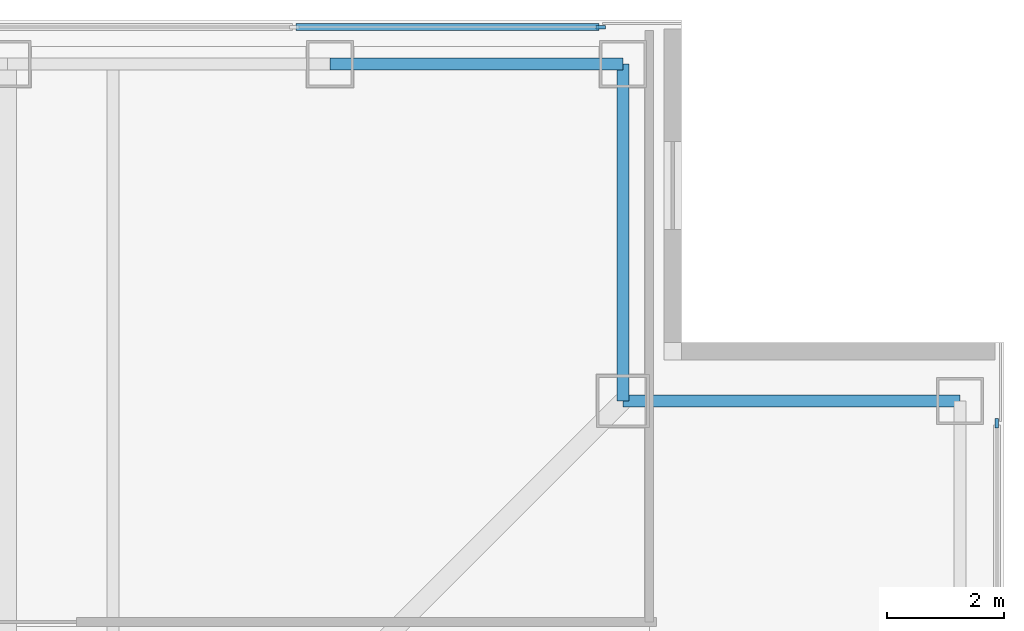
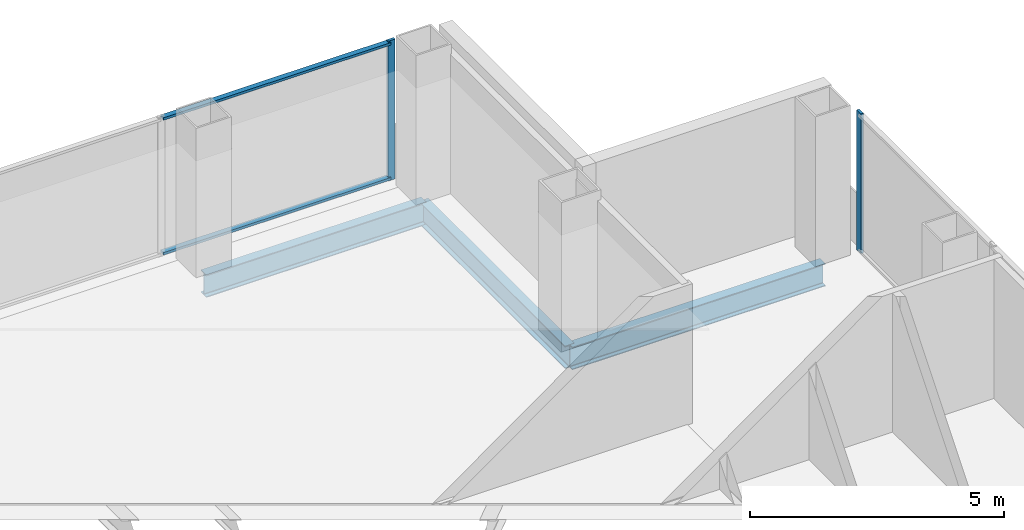
# One storey, part 8 of 17: 4 members, 3 beams, 2 elements without a shape of their own.
"""IFC4 building model written with IfcOpenShell, lengths in metres."""

import ifcopenshell
import ifcopenshell.guid

model = None  # the IFC model being written
_history = None  # IfcOwnerHistory: only IFC2X3 demands one
_inside = {}  # id of a spatial element -> (the spatial element, [elements in it])
_under = {}  # id of a project, library or spatial element -> (it, [spatial elements below it])
_declared = {}  # id of a project -> (the project, [libraries it declares])
_typed = {}  # id of a type object -> (the type object, [elements of that type])
_made_of = {}  # id of a material, layer set ... -> (it, [elements and type objects made of it])


def new_model(schema):
    """Start an empty IFC model of exactly this schema.

    Asked for "IFC4X3", IfcOpenShell would pick the latest addendum, in which some entities
    have other attributes; the version numbers below select the first issue.
    IFC2X3 requires an IfcOwnerHistory on every rooted entity: one is made here for all.
    """
    global model, _history
    if schema == "IFC4X3":
        model = ifcopenshell.file(schema_version=(4, 3, 0, 0))
    else:
        model = ifcopenshell.file(schema=schema)
    _inside.clear()
    _under.clear()
    _declared.clear()
    _typed.clear()
    _made_of.clear()
    _history = None
    if model.schema == "IFC2X3":
        org = make("IfcOrganization", Name="unknown")
        user = make(
            "IfcPersonAndOrganization",
            ThePerson=make("IfcPerson", FamilyName="unknown"),
            TheOrganization=org,
        )
        app = make(
            "IfcApplication",
            ApplicationDeveloper=org,
            Version="unknown",
            ApplicationFullName="unknown",
            ApplicationIdentifier="unknown",
        )
        _history = make(
            "IfcOwnerHistory",
            OwningUser=user,
            OwningApplication=app,
            ChangeAction="ADDED",
            CreationDate=0,
        )
    return model


def make(cls, **values):
    """One entity of the class cls with the attributes given. An attribute that is None is left unset."""
    return model.create_entity(
        cls, **{name: value for name, value in values.items() if value is not None}
    )


def rooted(cls, **values):
    """An entity with a GlobalId (a new one), such as an element, a storey or a relation."""
    return make(cls, GlobalId=ifcopenshell.guid.new(), OwnerHistory=_history, **values)


def si_unit(unit_type, name, prefix=None):
    """IfcSIUnit, for example si_unit("LENGTHUNIT", "METRE", prefix="MILLI")."""
    return make("IfcSIUnit", UnitType=unit_type, Prefix=prefix, Name=name)


def assignment(units):
    """IfcUnitAssignment: the units of a project."""
    return None if units is None else make("IfcUnitAssignment", Units=units)


def point(xyz):
    """IfcCartesianPoint."""
    return None if xyz is None else make("IfcCartesianPoint", Coordinates=xyz)


def direction(xyz):
    """IfcDirection."""
    return None if xyz is None else make("IfcDirection", DirectionRatios=xyz)


def frame(location, z_axis=None, x_axis=None):
    """IfcAxis2Placement3D, a coordinate frame: its origin and axes. An axis left out is left unset."""
    return make(
        "IfcAxis2Placement3D",
        Location=point(location),
        Axis=direction(z_axis),
        RefDirection=direction(x_axis),
    )


def frame_2d(location, x_axis=None):
    """IfcAxis2Placement2D, a coordinate frame in the plane: its origin and x axis."""
    return make(
        "IfcAxis2Placement2D", Location=point(location), RefDirection=direction(x_axis)
    )


def origin():
    """The frame at (0, 0, 0) with its axes left unset."""
    return frame((0.0, 0.0, 0.0))


def origin_2d():
    """The frame at (0, 0) in the plane with its x axis left unset."""
    return frame_2d((0.0, 0.0))


def place(relative_to, where):
    """IfcLocalPlacement: puts the frame where relative to a parent placement (None: the world)."""
    return make(
        "IfcLocalPlacement", PlacementRelTo=relative_to, RelativePlacement=where
    )


def context(
    kind, dimensions, precision=None, world=None, true_north=None, identifier=None
):
    """IfcGeometricRepresentationContext, for example the 3D "Model" context."""
    return make(
        "IfcGeometricRepresentationContext",
        ContextIdentifier=identifier,
        ContextType=kind,
        CoordinateSpaceDimension=dimensions,
        Precision=precision,
        WorldCoordinateSystem=world,
        TrueNorth=true_north,
    )


def subcontext(parent, identifier, kind, view, scale=None):
    """IfcGeometricRepresentationSubContext, for example "Body" below "Model"."""
    return make(
        "IfcGeometricRepresentationSubContext",
        ContextIdentifier=identifier,
        ContextType=kind,
        ParentContext=parent,
        TargetScale=scale,
        TargetView=view,
    )


def project(units=None, contexts=None):
    """IfcProject with its units and contexts."""
    return rooted(
        "IfcProject",
        Name="project",
        RepresentationContexts=contexts,
        UnitsInContext=assignment(units),
    )


def spatial(cls, under=None, at=None, **own):
    """A site, building, storey or space (cls), placed at a placement, below another one or the project."""
    s = rooted(cls, ObjectPlacement=at, **own)
    if under is not None:
        _under.setdefault(under.id(), (under, []))[1].append(s)
    return s


def profile(cls, at=None, kind="AREA", **sizes):
    """A parametric profile (cls). Its sizes go by their IFC names, for example OverallWidth=200.0."""
    return make(cls, ProfileType=kind, Position=at, **sizes)


def rectangle(**sizes):
    """IfcRectangleProfileDef."""
    return profile("IfcRectangleProfileDef", **sizes)


def i_section(**sizes):
    """IfcIShapeProfileDef."""
    return profile("IfcIShapeProfileDef", **sizes)


def extrude(swept, where, along, depth):
    """IfcExtrudedAreaSolid: the profile swept, set in the frame where, extruded along a direction by depth."""
    return make(
        "IfcExtrudedAreaSolid",
        SweptArea=swept,
        Position=where,
        ExtrudedDirection=direction(along),
        Depth=depth,
    )


def shape(context_of_items, identifier, shape_type, items):
    """IfcShapeRepresentation: the items that make up one representation, for example the "Body"."""
    return make(
        "IfcShapeRepresentation",
        ContextOfItems=context_of_items,
        RepresentationIdentifier=identifier,
        RepresentationType=shape_type,
        Items=items,
    )


def material(Name=None, Category=None):
    """IfcMaterial."""
    return make("IfcMaterial", Name=Name, Category=Category)


def layer(
    of_material, thickness, ventilated=None, Name=None, Category=None, Priority=None
):
    """IfcMaterialLayer: one layer of a wall or slab, of a material (None: an air gap)."""
    return make(
        "IfcMaterialLayer",
        Material=of_material,
        LayerThickness=thickness,
        IsVentilated=ventilated,
        Name=Name,
        Category=Category,
        Priority=Priority,
    )


def layer_set(layers, Name=None):
    """IfcMaterialLayerSet."""
    return make("IfcMaterialLayerSet", MaterialLayers=layers, LayerSetName=Name)


def material_profile(
    of_material, cross_section, Name=None, Category=None, Priority=None
):
    """IfcMaterialProfile: a cross section and its material."""
    return make(
        "IfcMaterialProfile",
        Name=Name,
        Material=of_material,
        Profile=cross_section,
        Priority=Priority,
        Category=Category,
    )


def profile_set(profiles, Name=None, composite=None):
    """IfcMaterialProfileSet."""
    return make(
        "IfcMaterialProfileSet",
        Name=Name,
        MaterialProfiles=profiles,
        CompositeProfile=composite,
    )


def made_of(thing, what):
    """Note that an element or type object is made of a material, layer set ...; save() writes the relation."""
    if what is not None:
        _made_of.setdefault(what.id(), (what, []))[1].append(thing)
    return thing


def type_object(cls, material=None, **own):
    """A type object (cls), such as IfcWallType, which elements share."""
    return made_of(rooted(cls, **own), material)


def element(
    cls,
    number,
    at=None,
    inside=None,
    cuts=None,
    type_object=None,
    material=None,
    context=None,
    identifier="Body",
    shape_type=None,
    held_by="IfcProductDefinitionShape",
    body=None,
    shapes=None,
    **own,
):
    """One element of the class cls, such as IfcWall. Its Tag is "e" and its number.

    at: its placement. inside: the storey or other place that contains it. cuts: it is an
    opening in that element (IfcRelVoidsElement). A single representation is given by context,
    identifier, shape_type and body (its items); several are given by shapes. held_by: the class
    of the entity that holds the representations. save() writes the other relations.
    """
    e = rooted(cls, Tag="e%d" % number, ObjectPlacement=at, **own)
    if body is not None:
        shapes = [shape(context, identifier, shape_type, body)]
    if shapes is not None:
        e.Representation = make(held_by, Representations=shapes)
    if inside is not None:
        _inside.setdefault(inside.id(), (inside, []))[1].append(e)
    if cuts is not None:
        rooted(
            "IfcRelVoidsElement", RelatingBuildingElement=cuts, RelatedOpeningElement=e
        )
    if type_object is not None:
        _typed.setdefault(type_object.id(), (type_object, []))[1].append(e)
    return made_of(e, material)


def aggregate(whole, parts):
    """IfcRelAggregates: a whole, such as a stair, and the parts it consists of."""
    return rooted("IfcRelAggregates", RelatingObject=whole, RelatedObjects=parts)


def save(model, path):
    """Write the relations noted so far, then the file.

    IfcRelAggregates (storeys below a building ...), IfcRelContainedInSpatialStructure (elements
    in a storey), IfcRelDefinesByType, IfcRelAssociatesMaterial and IfcRelDeclares: one each for
    every whole, place, type object, material and project.
    """
    for whole, parts in _under.values():
        aggregate(whole, parts)
    for where, things in _inside.values():
        rooted(
            "IfcRelContainedInSpatialStructure",
            RelatedElements=things,
            RelatingStructure=where,
        )
    for kind, things in _typed.values():
        rooted("IfcRelDefinesByType", RelatedObjects=things, RelatingType=kind)
    for what, things in _made_of.values():
        rooted("IfcRelAssociatesMaterial", RelatedObjects=things, RelatingMaterial=what)
    for by, libraries in _declared.values():
        rooted("IfcRelDeclares", RelatingContext=by, RelatedDefinitions=libraries)
    model.write(path)


model = new_model("IFC4")

# Units and contexts
model_context = context("Model", 3, precision=1e-05, world=origin(), true_north=direction((0.0, 1.0)))
body_context = subcontext(model_context, "Body", "Model", "MODEL_VIEW")
ifc_project = project(units=[si_unit("LENGTHUNIT", "METRE"), si_unit("AREAUNIT", "SQUARE_METRE"), si_unit("VOLUMEUNIT", "CUBIC_METRE"), si_unit("PLANEANGLEUNIT", "RADIAN"), si_unit("MASSUNIT", "GRAM", prefix="KILO")], contexts=[model_context])

# Site, building, storey
site_placement = place(None, origin())
site = spatial("IfcSite", under=ifc_project, at=site_placement, CompositionType="ELEMENT")
building_placement = place(site_placement, origin())
building = spatial("IfcBuilding", under=site, at=building_placement, Name="Trevonay Congress Spire", CompositionType="ELEMENT")
storey_placement = place(building_placement, frame((0.0, 0.0, 209.39990234375)))
storey = spatial("IfcBuildingStorey", under=building, at=storey_placement, Name="L54", CompositionType="ELEMENT", Elevation=209.39990234375)

# Beams
ifc_material_1 = material(Name="Steel ASTM A572 Grade 50", Category="steel")
ifc_material_profile_1 = material_profile(ifc_material_1, i_section(OverallWidth=0.2119140625, OverallDepth=0.5439453125, WebThickness=0.01318359375, FlangeThickness=0.021240234375, FilletRadius=0.014892578125, at=origin_2d()), Name="W530x123")
ifc_profile_set_1 = profile_set([ifc_material_profile_1], Name="Steel ASTM A572 Grade 50")
beam_type = type_object("IfcBeamType", Name="BM-RING-W530X123", PredefinedType="BEAM", material=ifc_profile_set_1)
beam_placement = place(storey_placement, frame((8.5, 19.25, -0.511962890625), z_axis=(1.0, 0.0, 0.0), x_axis=(0.0, 1.0, 0.0)))
element("IfcBeam", 1, at=beam_placement, inside=storey, type_object=beam_type, Name="L54 structural beam BM-L54-PN5", PredefinedType="BEAM", context=body_context, shape_type="SweptSolid", body=[
    extrude(i_section(OverallWidth=0.2119140625, OverallDepth=0.5439453125, WebThickness=0.01318359375, FlangeThickness=0.021240234375, FilletRadius=0.014892578125, at=origin_2d()), origin(), (0.0, 0.0, 1.0), 5.0),
])
for number, where, z_axis, x_axis, name in (
    (2, (13.5, 19.25, -0.511962890625), (0.0, -1.0, 0.0), (1.0, 0.0, 0.0), "L54 structural beam BM-L54-N1NE"),
    (3, (19.25, 13.5, -0.511962890625), (-1.0, 0.0, 0.0), (0.0, -1.0, 0.0), "L54 structural beam BM-L54-N2NE"),
):
    element("IfcBeam", number, at=place(storey_placement, frame(where, z_axis=z_axis, x_axis=x_axis)), inside=storey, type_object=beam_type, Name=name, PredefinedType="BEAM", context=body_context, shape_type="SweptSolid", body=[
        extrude(i_section(OverallWidth=0.2119140625, OverallDepth=0.5439453125, WebThickness=0.01318359375, FlangeThickness=0.021240234375, FilletRadius=0.014892578125, at=origin_2d()), origin(), (0.0, 0.0, 1.0), 5.75),
    ])

# Curtain wall, member
ifc_material_2 = material(Name="Pale Anodised Aluminium EN AW-6063-T6", Category="aluminium")
ifc_layer = layer(ifc_material_2, 0.169921875, Name="Pale Anodised Aluminium EN AW-6063-T6")
ifc_layer_set = layer_set([ifc_layer], Name="Pale Anodised Aluminium EN AW-6063-T6")
curtain_wall_type = type_object("IfcCurtainWallType", Name="CW-SYS04-CORP-PALE-METAL", PredefinedType="NOTDEFINED", material=ifc_layer_set)
curtain_wall_1_placement = place(storey_placement, origin())
curtain_wall_1 = element("IfcCurtainWall", 4, at=curtain_wall_1_placement, inside=storey, type_object=curtain_wall_type, Name="L54 N unitised curtain wall", PredefinedType="NOTDEFINED")
ifc_material_profile_2 = material_profile(ifc_material_2, rectangle(XDim=0.06005859375, YDim=0.159912109375, at=origin_2d()), Name="CW-MULLION-160-ALUMINIUM")
ifc_profile_set_2 = profile_set([ifc_material_profile_2], Name="Pale Anodised Aluminium EN AW-6063-T6")
member_type_1 = type_object("IfcMemberType", Name="CW-MULLION-160-ALUMINIUM", PredefinedType="MULLION", material=ifc_profile_set_2)
member_1_placement = place(storey_placement, frame((13.1201171875, 19.8798828125, 0.0), z_axis=(0.0, 0.0, 1.0), x_axis=(0.0, 1.0, 0.0)))
member_1 = element("IfcMember", 5, at=member_1_placement, type_object=member_type_1, Name="CW04 mullion 6", PredefinedType="MULLION", context=body_context, shape_type="SweptSolid", body=[
    extrude(rectangle(XDim=0.06005859375, YDim=0.159912109375, at=origin_2d()), origin(), (0.0, 0.0, 1.0), 3.360107421875),
])

curtain_wall_2_placement = place(storey_placement, origin())
curtain_wall_2 = element("IfcCurtainWall", 6, at=curtain_wall_2_placement, inside=storey, type_object=curtain_wall_type, Name="L54 E unitised curtain wall", PredefinedType="NOTDEFINED")
member_2_placement = place(storey_placement, frame((19.8798828125, 13.1201171875, 0.0), z_axis=(0.0, 0.0, 1.0), x_axis=(-1.0, 0.0, 0.0)))
member_2 = element("IfcMember", 7, at=member_2_placement, type_object=member_type_1, Name="CW04 mullion 6", PredefinedType="MULLION", context=body_context, shape_type="SweptSolid", body=[
    extrude(rectangle(XDim=0.06005859375, YDim=0.159912109375, at=origin_2d()), origin(), (0.0, 0.0, 1.0), 3.360107421875),
])
aggregate(curtain_wall_2, [member_2])

# Member
ifc_material_profile_3 = material_profile(ifc_material_2, rectangle(XDim=0.1201171875, YDim=0.06005859375, at=origin_2d()), Name="CW-TRANSOM-120-ALUMINIUM")
ifc_profile_set_3 = profile_set([ifc_material_profile_3], Name="Pale Anodised Aluminium EN AW-6063-T6")
member_type_2 = type_object("IfcMemberType", Name="CW-TRANSOM-120-ALUMINIUM", PredefinedType="USERDEFINED", material=ifc_profile_set_3)
member_3_placement = place(storey_placement, frame((7.919921875, 19.8798828125, 0.06005859375), z_axis=(1.0, 0.0, 0.0), x_axis=(0.0, 1.0, 0.0)))
member_3 = element("IfcMember", 8, at=member_3_placement, type_object=member_type_2, Name="CW04 transom 5.1", ObjectType="TRANSOM", PredefinedType="USERDEFINED", context=body_context, shape_type="SweptSolid", body=[
    extrude(rectangle(XDim=0.1201171875, YDim=0.06005859375, at=origin_2d()), origin(), (0.0, 0.0, 1.0), 5.170166015625),
])

member_4_placement = place(storey_placement, frame((7.919921875, 19.8798828125, 3.300048828125), z_axis=(1.0, 0.0, 0.0), x_axis=(0.0, 1.0, 0.0)))
member_4 = element("IfcMember", 9, at=member_4_placement, type_object=member_type_2, Name="CW04 transom 5.2", ObjectType="TRANSOM", PredefinedType="USERDEFINED", context=body_context, shape_type="SweptSolid", body=[
    extrude(rectangle(XDim=0.1201171875, YDim=0.06005859375, at=origin_2d()), origin(), (0.0, 0.0, 1.0), 5.170166015625),
])

aggregate(curtain_wall_1, [member_1, member_3, member_4])

save(model, "model.ifc")
